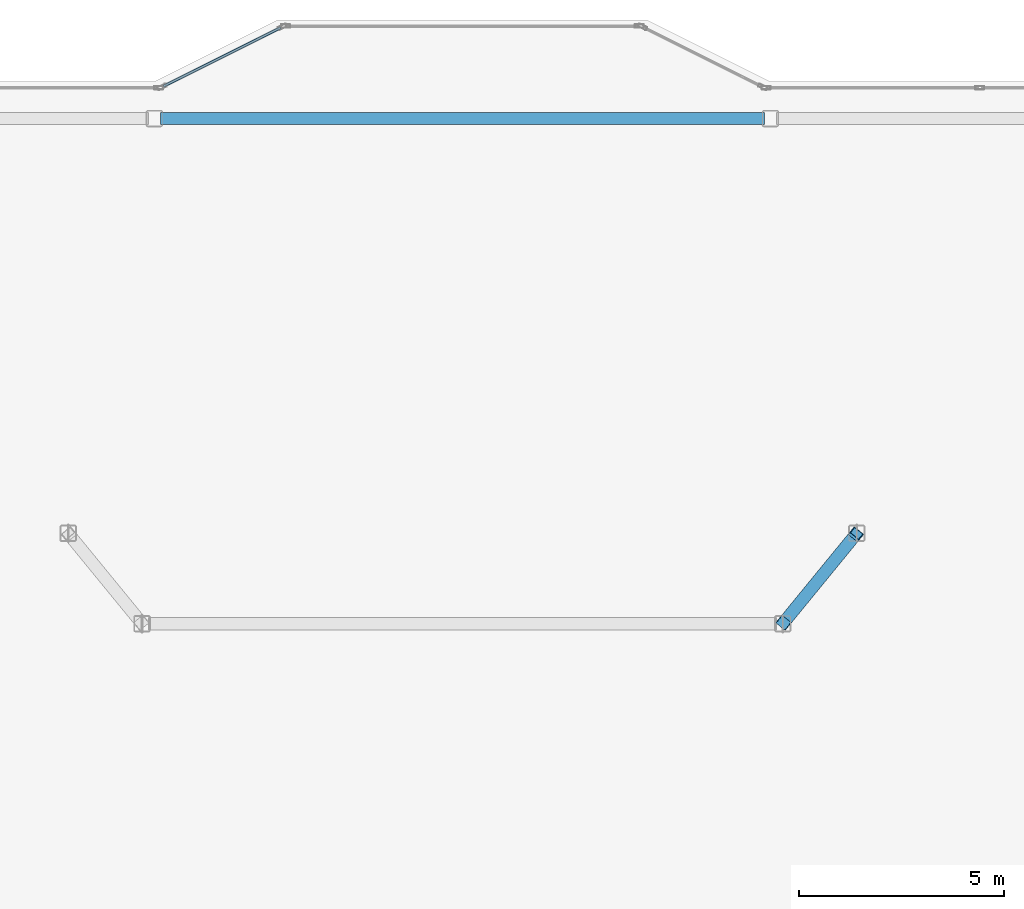
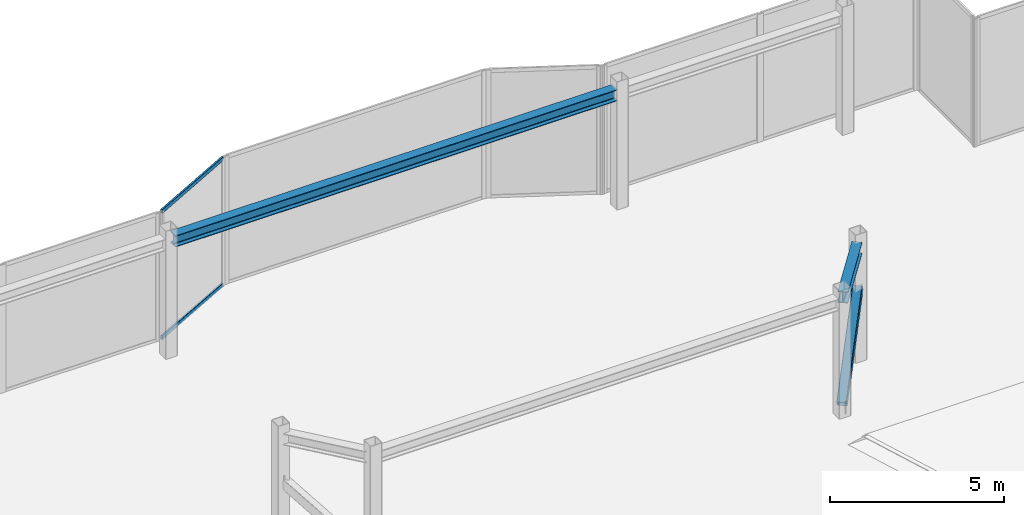
# One storey, part 5 of 12: 3 members, 2 beams, 1 element without a shape of its own.
"""IFC4 building model written with IfcOpenShell, lengths in metres."""

from ifc_helpers import new_model, si_unit, direction, frame, origin, origin_2d, place, context, subcontext, project, spatial, hollow_rectangle, i_section, extrude, material, layer, layer_set, material_profile, profile_set, type_object, element, aggregate, save


model = new_model("IFC4")

# Units and contexts
model_context = context("Model", 3, precision=1e-05, world=origin(), true_north=direction((0.0, 1.0)))
body_context = subcontext(model_context, "Body", "Model", "MODEL_VIEW")
ifc_project = project(units=[si_unit("LENGTHUNIT", "METRE"), si_unit("AREAUNIT", "SQUARE_METRE"), si_unit("VOLUMEUNIT", "CUBIC_METRE"), si_unit("PLANEANGLEUNIT", "RADIAN"), si_unit("MASSUNIT", "GRAM", prefix="KILO")], contexts=[model_context])

# Site, building, storey
site_placement = place(None, origin())
site = spatial("IfcSite", under=ifc_project, at=site_placement, CompositionType="ELEMENT")
building_placement = place(site_placement, origin())
building = spatial("IfcBuilding", under=site, at=building_placement, Name="Tarnavaz Court Tower", CompositionType="ELEMENT")
storey_placement = place(building_placement, frame((0.0, 0.0, 299.550048828125)))
storey = spatial("IfcBuildingStorey", under=building, at=storey_placement, Name="C05", CompositionType="ELEMENT", Elevation=299.550048828125)

# Beams
ifc_material_1 = material(Name="Steel S355", Category="steel")
ifc_material_profile_1 = material_profile(ifc_material_1, i_section(OverallWidth=0.300048828125, OverallDepth=0.39990234375, WebThickness=0.013427734375, FlangeThickness=0.02392578125, FilletRadius=0.027099609375, at=origin_2d()), Name="HEB 400")
ifc_profile_set_1 = profile_set([ifc_material_profile_1], Name="Steel S355")
beam_type = type_object("IfcBeamType", Name="BM-G-HEB400", PredefinedType="USERDEFINED", material=ifc_profile_set_1)
beam_1_placement = place(storey_placement, frame((9.5048828125, 9.8837890625, 4.0), z_axis=(-0.633206414362, -0.773982969329, 0.0), x_axis=(0.773982969329, -0.633206414362, 0.0)))
element("IfcBeam", 1, at=beam_1_placement, inside=storey, type_object=beam_type, Name="C05 Beam CRG-CE-NI-IW-NE", ObjectType="GIRDER", PredefinedType="USERDEFINED", context=body_context, shape_type="SweptSolid", body=[
    extrude(i_section(OverallWidth=0.300048828125, OverallDepth=0.39990234375, WebThickness=0.013427734375, FlangeThickness=0.02392578125, FilletRadius=0.027099609375, at=origin_2d()), origin(), (0.0, 0.0, 1.0), 2.54248046875),
])
beam_2_placement = place(storey_placement, frame((-7.35009765625, 20.10009765625, 4.0), z_axis=(1.0, 0.0, 0.0), x_axis=(0.0, 1.0, 0.0)))
element("IfcBeam", 2, at=beam_2_placement, inside=storey, type_object=beam_type, Name="C05 Beam CRG-PN-2-PN-3", ObjectType="GIRDER", PredefinedType="USERDEFINED", context=body_context, shape_type="SweptSolid", body=[
    extrude(i_section(OverallWidth=0.300048828125, OverallDepth=0.39990234375, WebThickness=0.013427734375, FlangeThickness=0.02392578125, FilletRadius=0.027099609375, at=origin_2d()), origin(), (0.0, 0.0, 1.0), 14.7001953125),
])

# Curtain wall, members
ifc_material_2 = material(Name="Anodised Aluminium 6063-T6 and Solar Low-E Glazing", Category="aluminium")
ifc_layer = layer(ifc_material_2, 0.2099609375)
ifc_layer_set = layer_set([ifc_layer], Name="Anodised Aluminium 6063-T6 and Solar Low-E Glazing")
curtain_wall_type = type_object("IfcCurtainWallType", Name="CW-SYS-06", PredefinedType="NOTDEFINED", material=ifc_layer_set)
curtain_wall_placement = place(storey_placement, origin())
curtain_wall = element("IfcCurtainWall", 3, at=curtain_wall_placement, inside=storey, type_object=curtain_wall_type, Name="C05 Slanted Crown Terracotta Curtain Wall 4", PredefinedType="NOTDEFINED")
ifc_material_3 = material(Name="Anodised Aluminium 6063-T6", Category="aluminium")
ifc_material_profile_2 = material_profile(ifc_material_3, hollow_rectangle(XDim=0.06494140625, YDim=0.139892578125, WallThickness=0.00390625, InnerFilletRadius=0.00390625, OuterFilletRadius=0.008056640625, at=origin_2d()), Name="ALU RHS 140X65X4")
ifc_profile_set_2 = profile_set([ifc_material_profile_2], Name="Anodised Aluminium 6063-T6")
member_type_1 = type_object("IfcMemberType", Name="CW-TRN-140", PredefinedType="USERDEFINED", material=ifc_profile_set_2)
member_1_placement = place(storey_placement, frame((-7.27392578125, 20.887939453125, 0.032470703125), z_axis=(0.894411855509, 0.447244265168, 0.0), x_axis=(-0.447244265168, 0.894411855509, 0.0)))
member_1 = element("IfcMember", 4, at=member_1_placement, type_object=member_type_1, Name="CW transom 1.1", ObjectType="TRANSOM", PredefinedType="USERDEFINED", context=body_context, shape_type="SweptSolid", body=[
    extrude(hollow_rectangle(XDim=0.06494140625, YDim=0.139892578125, WallThickness=0.00390625, InnerFilletRadius=0.00390625, OuterFilletRadius=0.008056640625, at=origin_2d()), origin(), (0.0, 0.0, 1.0), 3.18408203125),
])
member_2_placement = place(storey_placement, frame((-7.27392578125, 20.887939453125, 4.467529296875), z_axis=(0.894411855509, 0.447244265168, 0.0), x_axis=(-0.447244265168, 0.894411855509, 0.0)))
member_2 = element("IfcMember", 5, at=member_2_placement, type_object=member_type_1, Name="CW transom 1.2", ObjectType="TRANSOM", PredefinedType="USERDEFINED", context=body_context, shape_type="SweptSolid", body=[
    extrude(hollow_rectangle(XDim=0.06494140625, YDim=0.139892578125, WallThickness=0.00390625, InnerFilletRadius=0.00390625, OuterFilletRadius=0.008056640625, at=origin_2d()), origin(), (0.0, 0.0, 1.0), 3.18408203125),
])
aggregate(curtain_wall, [member_1, member_2])

# Member
ifc_material_profile_3 = material_profile(ifc_material_1, hollow_rectangle(XDim=0.300048828125, YDim=0.300048828125, WallThickness=0.01611328125, InnerFilletRadius=0.01611328125, OuterFilletRadius=0.031982421875, at=origin_2d()), Name="SHS 300X300X16")
ifc_profile_set_3 = profile_set([ifc_material_profile_3], Name="Steel S355")
member_type_2 = type_object("IfcMemberType", Name="MB-CR-SHS200", PredefinedType="USERDEFINED", material=ifc_profile_set_3)
member_3_placement = place(storey_placement, frame((7.800048828125, 7.800048828125, 0.349853515625), z_axis=(0.505044427904, 0.617246078916, 0.603272246922), x_axis=(-0.773941992102, 0.633256498476, 0.0)))
element("IfcMember", 6, at=member_3_placement, inside=storey, type_object=member_type_2, Name="C05 Crown Frame E Core Brace Strut", ObjectType="CROWN FRAME", PredefinedType="USERDEFINED", context=body_context, shape_type="SweptSolid", body=[
    extrude(hollow_rectangle(XDim=0.300048828125, YDim=0.300048828125, WallThickness=0.01611328125, InnerFilletRadius=0.01611328125, OuterFilletRadius=0.031982421875, at=origin_2d()), origin(), (0.0, 0.0, 1.0), 3.564208984375),
])

save(model, "model.ifc")
